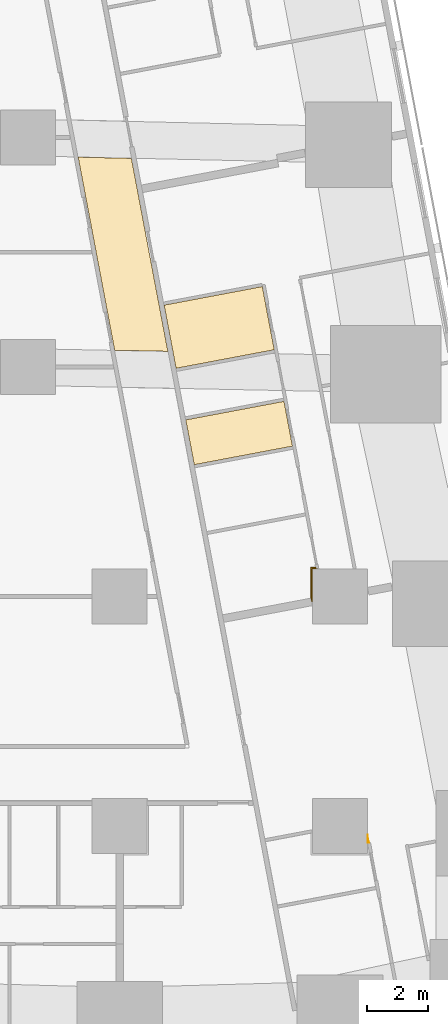
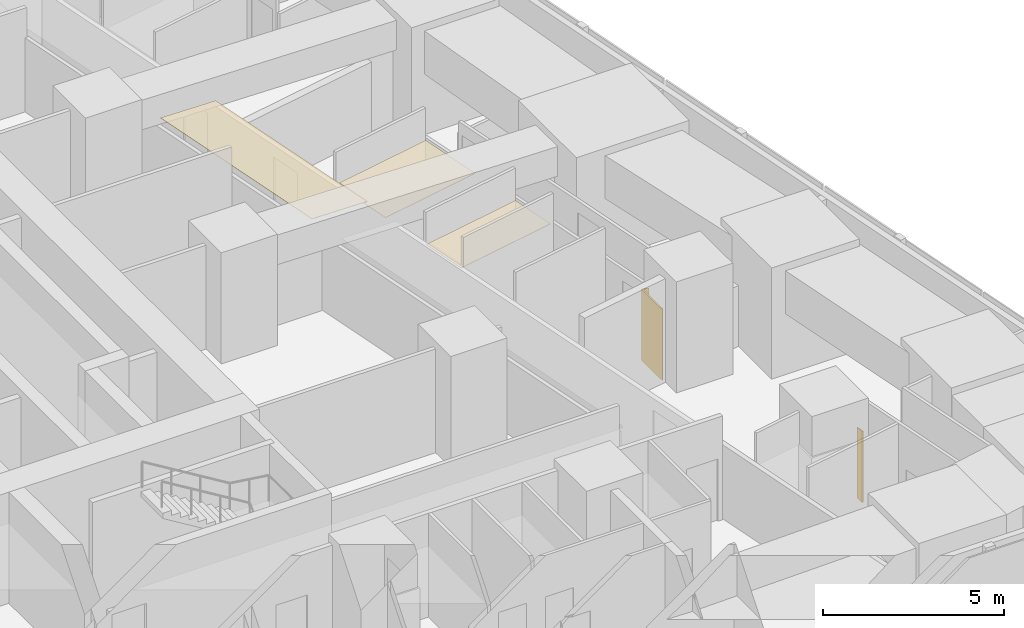
# One storey, part 17 of 18: 5 coverings.
"""IFC4 building model written with IfcOpenShell, lengths in metres."""

from ifc_helpers import new_model, si_unit, direction, frame, origin, place, context, subcontext, project, spatial, polyline, outline, extrude, material, layer, layer_set, type_object, element, save


model = new_model("IFC4")

# Units and contexts
model_context = context("Model", 3, precision=1e-05, world=origin(), true_north=direction((0.0, 1.0)))
body_context = subcontext(model_context, "Body", "Model", "MODEL_VIEW")
ifc_project = project(units=[si_unit("LENGTHUNIT", "METRE"), si_unit("AREAUNIT", "SQUARE_METRE"), si_unit("VOLUMEUNIT", "CUBIC_METRE"), si_unit("PLANEANGLEUNIT", "RADIAN"), si_unit("MASSUNIT", "GRAM", prefix="KILO")], contexts=[model_context])

# Site, building, storey
site_placement = place(None, origin())
site = spatial("IfcSite", under=ifc_project, at=site_placement, CompositionType="ELEMENT")
building_placement = place(site_placement, origin())
building = spatial("IfcBuilding", under=site, at=building_placement, Name="Sheger Commons Tower", CompositionType="ELEMENT")
storey_placement = place(building_placement, frame((0.0, 0.0, 35.0)))
storey = spatial("IfcBuildingStorey", under=building, at=storey_placement, Name="L08", CompositionType="ELEMENT", Elevation=35.0)

# Coverings
ifc_material_1 = material(Name="Moisture-resistant gypsum plasterboard 15 mm on a suspended galvanised steel grid", Category="steel")
ifc_layer_1 = layer(ifc_material_1, 0.014892578125)
ifc_layer_set_1 = layer_set([ifc_layer_1], Name="MOISTURE-RESISTANT CEILING 15")
covering_type_1 = type_object("IfcCoveringType", Name="MOISTURE-RESISTANT CEILING 15", PredefinedType="CEILING", material=ifc_layer_set_1)
covering_1_placement = place(storey_placement, frame((0.0, 0.0, 2.39990234375)))
element("IfcCovering", 1, at=covering_1_placement, inside=storey, type_object=covering_type_1, Name="L08-09.B1 ceiling", PredefinedType="CEILING", context=body_context, shape_type="SweptSolid", body=[
    extrude(outline(polyline([(37.843994140625, 22.4580078125), (41.052001953125, 23.06396484375), (40.662109375, 25.1279296875), (37.4541015625, 24.52197265625), (37.843994140625, 22.4580078125)])), origin(), (0.0, 0.0, 1.0), 0.01513671875),
])
covering_2_placement = place(storey_placement, frame((0.0, 0.0, 2.39990234375)))
element("IfcCovering", 2, at=covering_2_placement, inside=storey, type_object=covering_type_1, Name="L08-09.B2 ceiling", PredefinedType="CEILING", context=body_context, shape_type="SweptSolid", body=[
    extrude(outline(polyline([(38.43896484375, 19.30810546875), (41.64697265625, 19.9140625), (41.3701171875, 21.3779296875), (38.162109375, 20.77197265625), (38.43896484375, 19.30810546875)])), origin(), (0.0, 0.0, 1.0), 0.01513671875),
])
ifc_material_2 = material(Name="Gypsum plasterboard 15 mm on a suspended steel grid", Category="steel")
ifc_layer_2 = layer(ifc_material_2, 0.014892578125)
ifc_layer_set_2 = layer_set([ifc_layer_2], Name="SUSPENDED CEILING 15")
covering_type_2 = type_object("IfcCoveringType", Name="SUSPENDED CEILING 15", PredefinedType="CEILING", material=ifc_layer_set_2)
covering_3_placement = place(storey_placement, frame((0.0, 0.0, 2.699951171875)))
element("IfcCovering", 3, at=covering_3_placement, inside=storey, type_object=covering_type_2, Name="L08-CO ceiling", PredefinedType="CEILING", context=body_context, shape_type="SweptSolid", body=[
    extrude(outline(polyline([(37.575927734375, 23.011962890625), (36.385009765625, 29.318115234375), (34.64501953125, 29.35791015625), (35.8369140625, 23.048095703125), (37.575927734375, 23.011962890625)])), origin(), (0.0, 0.0, 1.0), 0.01513671875),
])
ifc_material_3 = material(Name="Moisture-resistant gypsum board 12.5 mm on 25 mm treated timber battens, tanked and tiled", Category="wood")
ifc_layer_3 = layer(ifc_material_3, 0.050048828125)
ifc_layer_set_3 = layer_set([ifc_layer_3], Name="WET-ROOM COLUMN LINING")
covering_type_3 = type_object("IfcCoveringType", Name="WET-ROOM COLUMN LINING", PredefinedType="CLADDING", material=ifc_layer_set_3)
covering_4_placement = place(storey_placement, origin())
element("IfcCovering", 4, at=covering_4_placement, inside=storey, type_object=covering_type_3, Name="Bathroom column lining C8 L08", PredefinedType="CLADDING", context=body_context, shape_type="SweptSolid", body=[
    extrude(outline(polyline([(44.10009765625, 7.220947265625), (44.14892578125, 6.9599609375), (44.10009765625, 6.950927734375), (44.10009765625, 7.220947265625)])), origin(), (0.0, 0.0, 1.0), 2.39990234375),
])
covering_5_placement = place(storey_placement, origin())
element("IfcCovering", 5, at=covering_5_placement, inside=storey, type_object=covering_type_3, Name="Store and laundry column lining C8 L08", PredefinedType="CLADDING", context=body_context, shape_type="SweptSolid", body=[
    extrude(outline(polyline([(42.40087890625, 15.949951171875), (42.409912109375, 15.90087890625), (42.458984375, 15.909912109375), (42.4609375, 15.89990234375), (42.300048828125, 15.89990234375), (42.300048828125, 14.830078125), (42.27587890625, 14.824951171875), (42.2529296875, 14.947998046875), (42.25, 14.947021484375), (42.25, 15.949951171875), (42.40087890625, 15.949951171875)])), origin(), (0.0, 0.0, 1.0), 2.39990234375),
])

save(model, "model.ifc")
